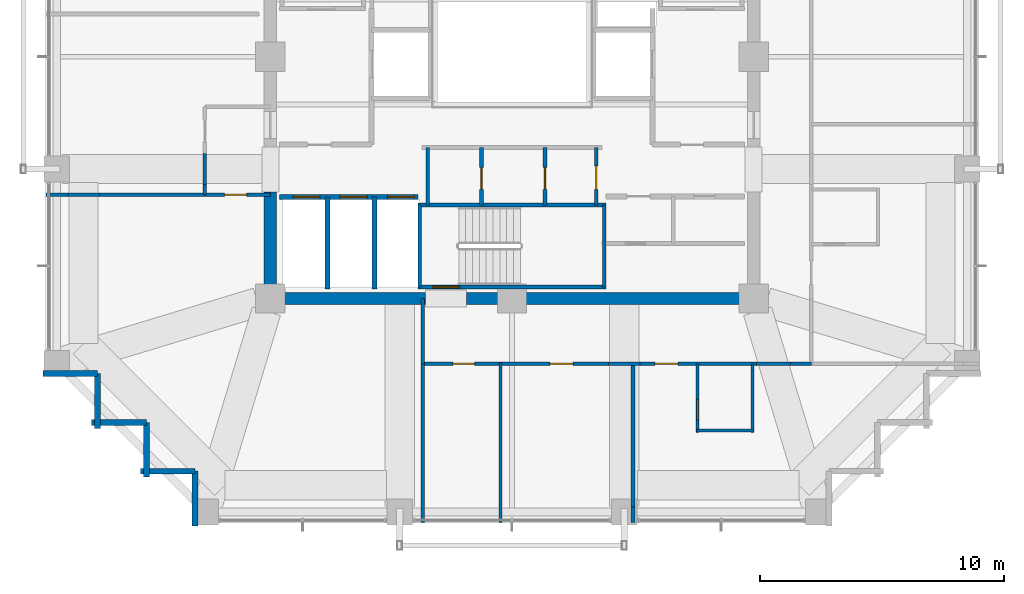
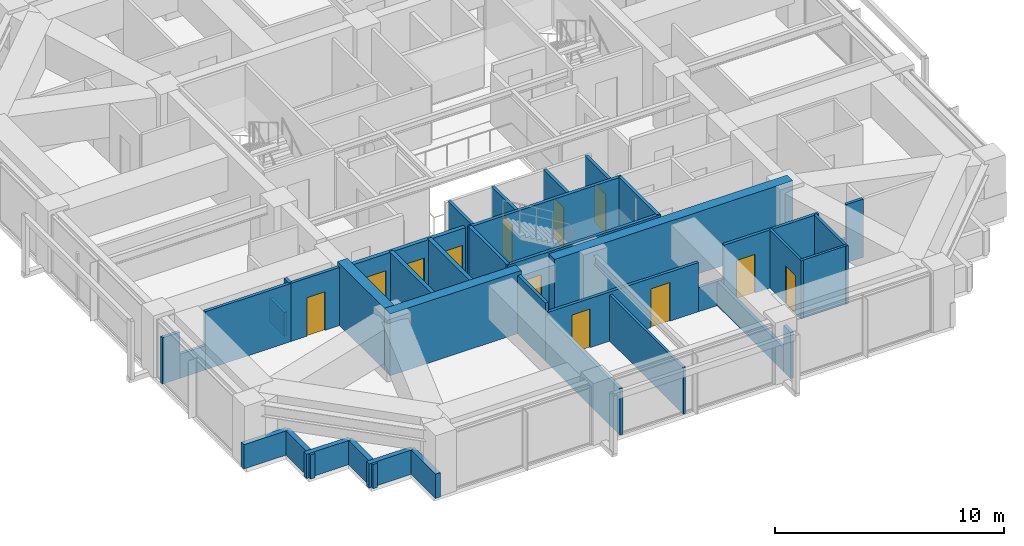
# One storey, part 24 of 28: 39 walls, 12 doors, 12 openings.
"""IFC4 building model written with IfcOpenShell, lengths in metres."""

from ifc_helpers import new_model, si_unit, direction, frame, frame_2d, origin, place, context, subcontext, project, spatial, rectangle, extrude, material, layer, layer_set, type_object, element, fill, save


model = new_model("IFC4")

# Units and contexts
model_context = context("Model", 3, precision=1e-05, world=origin(), true_north=direction((0.0, 1.0)))
body_context = subcontext(model_context, "Body", "Model", "MODEL_VIEW")
ifc_project = project(units=[si_unit("LENGTHUNIT", "METRE"), si_unit("AREAUNIT", "SQUARE_METRE"), si_unit("VOLUMEUNIT", "CUBIC_METRE"), si_unit("PLANEANGLEUNIT", "RADIAN"), si_unit("MASSUNIT", "GRAM", prefix="KILO")], contexts=[model_context])

# Site, building, storey
site_placement = place(None, origin())
site = spatial("IfcSite", under=ifc_project, at=site_placement, CompositionType="ELEMENT")
building_placement = place(site_placement, origin())
building = spatial("IfcBuilding", under=site, at=building_placement, Name="Kolvaren Belvedere", CompositionType="ELEMENT")
storey_placement = place(building_placement, frame((0.0, 0.0, 125.0)))
storey = spatial("IfcBuildingStorey", under=building, at=storey_placement, Name="L36", CompositionType="ELEMENT", Elevation=125.0)

# Walls
ifc_material_1 = material(Name="Concrete C50/60", Category="concrete")
ifc_layer_1 = layer(ifc_material_1, 0.5)
ifc_layer_set_1 = layer_set([ifc_layer_1], Name="Concrete C50/60")
wall_type_1 = type_object("IfcWallType", Name="CW-CORE-500", PredefinedType="SHEAR", material=ifc_layer_set_1)
wall_1_placement = place(storey_placement, frame((10.14990234375, -9.89990234375, 0.0), z_axis=(0.0, 0.0, 1.0), x_axis=(-1.0, 0.0, 0.0)))
element("IfcWall", 1, at=wall_1_placement, inside=storey, type_object=wall_type_1, Name="L36 South Core Shear Wall 1", PredefinedType="SHEAR", context=body_context, shape_type="SweptSolid", body=[
    extrude(rectangle(XDim=12.010009765625, YDim=0.5, at=frame_2d((6.0048828125, 0.0))), origin(), (0.0, 0.0, 1.0), 3.300048828125),
])
wall_2_placement = place(storey_placement, frame((-3.5400390625, -9.89990234375, 0.0), z_axis=(0.0, 0.0, 1.0), x_axis=(-1.0, 0.0, 0.0)))
element("IfcWall", 2, at=wall_2_placement, inside=storey, type_object=wall_type_1, Name="L36 South Core Shear Wall 2", PredefinedType="SHEAR", context=body_context, shape_type="SweptSolid", body=[
    extrude(rectangle(XDim=6.60986328125, YDim=0.5, at=frame_2d((3.304931640625, 0.0))), origin(), (0.0, 0.0, 1.0), 3.300048828125),
])
wall_3_placement = place(storey_placement, frame((-9.89990234375, -9.64990234375, 0.0), z_axis=(0.0, 0.0, 1.0), x_axis=(0.0, 1.0, 0.0)))
element("IfcWall", 3, at=wall_3_placement, inside=storey, type_object=wall_type_1, Name="L36 West Core Shear Wall 1", PredefinedType="SHEAR", context=body_context, shape_type="SweptSolid", body=[
    extrude(rectangle(XDim=4.099853515625, YDim=0.5, at=frame_2d((2.0498046875, 0.0))), origin(), (0.0, 0.0, 1.0), 3.300048828125),
])

# Wall, opening, door
ifc_material_2 = material(Name="Concrete C50/60", Category="concrete")
ifc_layer_2 = layer(ifc_material_2, 0.159912109375)
ifc_layer_set_2 = layer_set([ifc_layer_2], Name="Concrete C50/60")
wall_type_2 = type_object("IfcWallType", Name="CW-STAIR-160", PredefinedType="SHEAR", material=ifc_layer_set_2)
wall_4_placement = place(storey_placement, frame((3.860107421875, -9.429931640625, 0.0), z_axis=(0.0, 0.0, 1.0), x_axis=(-1.0, 0.0, 0.0)))
wall_4 = element("IfcWall", 4, at=wall_4_placement, inside=storey, type_object=wall_type_2, Name="L36 Stair ST-3 South Shear Wall", PredefinedType="SHEAR", context=body_context, shape_type="SweptSolid", body=[
    extrude(rectangle(XDim=7.72021484375, YDim=0.159912109375, at=frame_2d((3.860107421875, 0.0))), origin(), (0.0, 0.0, 1.0), 3.300048828125),
])
opening_1_placement = place(wall_4_placement, frame((6.010009765625, 0.0, 0.0)))
opening_1 = element("IfcOpeningElement", 5, at=opening_1_placement, cuts=wall_4, Name="Opening D-FD90", PredefinedType="OPENING", context=body_context, shape_type="SweptSolid", body=[
    extrude(rectangle(XDim=1.10009765625, YDim=2.199951171875, at=frame_2d((0.550048828125, 1.10009765625))), frame((0.0, 0.08984375, 0.0), z_axis=(0.0, -1.0, 0.0), x_axis=(1.0, 0.0, 0.0)), (0.0, 0.0, 1.0), 0.179931640625),
])
ifc_material_3 = material(Name="Painted hollow stainless steel", Category="steel")
door_type_1 = type_object("IfcDoorType", Name="DR-FD90-1100", OperationType="NOTDEFINED", PredefinedType="DOOR", material=ifc_material_3)
door_1_placement = place(opening_1_placement, origin())
door_1 = element("IfcDoor", 6, at=door_1_placement, inside=storey, type_object=door_type_1, Name="L36 Stair ST-3 Exit Door", OperationType="SINGLE_SWING_RIGHT", OverallHeight=2.199951171875, OverallWidth=1.10009765625, PredefinedType="DOOR", context=body_context, shape_type="SweptSolid", body=[
    extrude(rectangle(XDim=1.10009765625, YDim=2.199951171875, at=frame_2d((0.550048828125, 1.10009765625))), frame((0.0, 0.02490234375, 0.0), z_axis=(0.0, -1.0, 0.0), x_axis=(1.0, 0.0, 0.0)), (0.0, 0.0, 1.0), 0.050048828125),
])
fill(opening_1, door_1)

# Walls
wall_5_placement = place(storey_placement, frame((-3.860107421875, -6.080078125, 0.0), z_axis=(0.0, 0.0, 1.0), x_axis=(1.0, 0.0, 0.0)))
element("IfcWall", 7, at=wall_5_placement, inside=storey, type_object=wall_type_2, Name="L36 Stair ST-3 North Shear Wall", PredefinedType="SHEAR", context=body_context, shape_type="SweptSolid", body=[
    extrude(rectangle(XDim=7.72021484375, YDim=0.159912109375, at=frame_2d((3.860107421875, 0.0))), origin(), (0.0, 0.0, 1.0), 3.300048828125),
])
for number, where, z_axis, x_axis, name in (
    (8, (-3.780029296875, -9.429931640625, 0.0), (0.0, 0.0, 1.0), (0.0, 1.0, 0.0), "L36 Stair ST-3 West Shear Wall"),
    (9, (3.780029296875, -9.429931640625, 0.0), (0.0, 0.0, 1.0), (0.0, 1.0, 0.0), "L36 Stair ST-3 East Shear Wall"),
):
    element("IfcWall", number, at=place(storey_placement, frame(where, z_axis=z_axis, x_axis=x_axis)), inside=storey, type_object=wall_type_2, Name=name, PredefinedType="SHEAR", context=body_context, shape_type="SweptSolid", body=[
        extrude(rectangle(XDim=3.349853515625, YDim=0.159912109375, at=frame_2d((1.6748046875, 0.0))), origin(), (0.0, 0.0, 1.0), 3.300048828125),
    ])

# Wall, openings, doors
ifc_material_4 = material(Name="Gypsum fire-rated partition assembly", Category="gypsum")
ifc_layer_3 = layer(ifc_material_4, 0.14990234375)
ifc_layer_set_3 = layer_set([ifc_layer_3], Name="Gypsum fire-rated partition assembly")
wall_type_3 = type_object("IfcWallType", Name="WL-CORR-150", PredefinedType="PARTITIONING", material=ifc_layer_set_3)
wall_6_placement = place(storey_placement, frame((-3.64990234375, -12.580078125, 0.0), z_axis=(0.0, 0.0, 1.0), x_axis=(1.0, 0.0, 0.0)))
wall_6 = element("IfcWall", 10, at=wall_6_placement, inside=storey, type_object=wall_type_3, Name="L36 South-East Corridor Wall", PredefinedType="PARTITIONING", context=body_context, shape_type="SweptSolid", body=[
    extrude(rectangle(XDim=7.60791015625, YDim=0.14990234375, at=frame_2d((3.803955078125, 0.0))), origin(), (0.0, 0.0, 1.0), 2.625),
])
opening_2_placement = place(wall_6_placement, frame((1.223876953125, 0.0, 0.0)))
opening_2 = element("IfcOpeningElement", 11, at=opening_2_placement, cuts=wall_6, Name="Opening D-INT90", PredefinedType="OPENING", context=body_context, shape_type="SweptSolid", body=[
    extrude(rectangle(XDim=0.89990234375, YDim=2.06005859375, at=frame_2d((0.449951171875, 1.030029296875))), frame((0.0, 0.0849609375, 0.0), z_axis=(0.0, -1.0, 0.0), x_axis=(1.0, 0.0, 0.0)), (0.0, 0.0, 1.0), 0.169921875),
])
opening_3_placement = place(wall_6_placement, frame((5.205078125, 0.0, 0.0)))
opening_3 = element("IfcOpeningElement", 12, at=opening_3_placement, cuts=wall_6, Name="Opening D-INT95", PredefinedType="OPENING", context=body_context, shape_type="SweptSolid", body=[
    extrude(rectangle(XDim=0.949951171875, YDim=2.06005859375, at=frame_2d((0.47509765625, 1.030029296875))), frame((0.0, 0.0849609375, 0.0), z_axis=(0.0, -1.0, 0.0), x_axis=(1.0, 0.0, 0.0)), (0.0, 0.0, 1.0), 0.169921875),
])
ifc_material_5 = material(Name="Stained Pacific white oak", Category="timber")
door_type_2 = type_object("IfcDoorType", Name="DR-INT-900", OperationType="NOTDEFINED", PredefinedType="DOOR", material=ifc_material_5)
door_2_placement = place(opening_2_placement, origin())
door_2 = element("IfcDoor", 13, at=door_2_placement, inside=storey, type_object=door_type_2, Name="L36 Housekeeping Door", OperationType="SINGLE_SWING_LEFT", OverallHeight=2.06005859375, OverallWidth=0.89990234375, PredefinedType="DOOR", context=body_context, shape_type="SweptSolid", body=[
    extrude(rectangle(XDim=0.89990234375, YDim=2.06005859375, at=frame_2d((0.449951171875, 1.030029296875))), frame((0.0, 0.02490234375, 0.0), z_axis=(0.0, -1.0, 0.0), x_axis=(1.0, 0.0, 0.0)), (0.0, 0.0, 1.0), 0.050048828125),
])
fill(opening_2, door_2)
ifc_material_6 = material(Name="Stained Pacific white oak", Category="timber")
door_type_3 = type_object("IfcDoorType", Name="DR-INT-950", OperationType="NOTDEFINED", PredefinedType="DOOR", material=ifc_material_6)
door_3_placement = place(opening_3_placement, origin())
door_3 = element("IfcDoor", 14, at=door_3_placement, inside=storey, type_object=door_type_3, Name="L36 Accessible Washroom Door", OperationType="SINGLE_SWING_RIGHT", OverallHeight=2.06005859375, OverallWidth=0.949951171875, PredefinedType="DOOR", context=body_context, shape_type="SweptSolid", body=[
    extrude(rectangle(XDim=0.949951171875, YDim=2.06005859375, at=frame_2d((0.47509765625, 1.030029296875))), frame((0.0, 0.02490234375, 0.0), z_axis=(0.0, -1.0, 0.0), x_axis=(1.0, 0.0, 0.0)), (0.0, 0.0, 1.0), 0.050048828125),
])
fill(opening_3, door_3)

# Wall
wall_7_placement = place(storey_placement, frame((3.9580078125, -12.580078125, 0.0), z_axis=(0.0, 0.0, 1.0), x_axis=(1.0, 0.0, 0.0)))
element("IfcWall", 15, at=wall_7_placement, inside=storey, type_object=wall_type_3, Name="L36 South-East Corridor Wall", PredefinedType="PARTITIONING", context=body_context, shape_type="SweptSolid", body=[
    extrude(rectangle(XDim=1.283935546875, YDim=0.14990234375, at=frame_2d((0.64208984375, 0.0))), origin(), (0.0, 0.0, 1.0), 1.284912109375),
])

# Wall, opening, door
wall_8_placement = place(storey_placement, frame((5.241943359375, -12.580078125, 0.0), z_axis=(0.0, 0.0, 1.0), x_axis=(1.0, 0.0, 0.0)))
wall_8 = element("IfcWall", 16, at=wall_8_placement, inside=storey, type_object=wall_type_3, Name="L36 South-East Corridor Wall", PredefinedType="PARTITIONING", context=body_context, shape_type="SweptSolid", body=[
    extrude(rectangle(XDim=4.77392578125, YDim=0.14990234375, at=frame_2d((2.386962890625, 0.0))), origin(), (0.0, 0.0, 1.0), 3.10009765625),
])
opening_4_placement = place(wall_8_placement, frame((0.612060546875, 0.0, 0.0)))
opening_4 = element("IfcOpeningElement", 17, at=opening_4_placement, cuts=wall_8, Name="Opening D-FD60", PredefinedType="OPENING", context=body_context, shape_type="SweptSolid", body=[
    extrude(rectangle(XDim=0.949951171875, YDim=2.06005859375, at=frame_2d((0.47509765625, 1.030029296875))), frame((0.0, 0.0849609375, 0.0), z_axis=(0.0, -1.0, 0.0), x_axis=(1.0, 0.0, 0.0)), (0.0, 0.0, 1.0), 0.169921875),
])
ifc_material_7 = material(Name="Acoustic white-oak fire door leaf", Category="timber")
door_type_4 = type_object("IfcDoorType", Name="DR-FD60-950", OperationType="NOTDEFINED", PredefinedType="DOOR", material=ifc_material_7)
door_4_placement = place(opening_4_placement, origin())
door_4 = element("IfcDoor", 18, at=door_4_placement, inside=storey, type_object=door_type_4, Name="L36 King Guest Room 3610 Entry Door", OperationType="SINGLE_SWING_RIGHT", OverallHeight=2.06005859375, OverallWidth=0.949951171875, PredefinedType="DOOR", context=body_context, shape_type="SweptSolid", body=[
    extrude(rectangle(XDim=0.949951171875, YDim=2.06005859375, at=frame_2d((0.47509765625, 1.030029296875))), frame((0.0, 0.02490234375, 0.0), z_axis=(0.0, -1.0, 0.0), x_axis=(1.0, 0.0, 0.0)), (0.0, 0.0, 1.0), 0.050048828125),
])
fill(opening_4, door_4)

# Walls
wall_9_placement = place(storey_placement, frame((10.015869140625, -12.580078125, 0.0), z_axis=(0.0, 0.0, 1.0), x_axis=(1.0, 0.0, 0.0)))
element("IfcWall", 19, at=wall_9_placement, inside=storey, type_object=wall_type_3, Name="L36 South-East Corridor Wall", PredefinedType="PARTITIONING", context=body_context, shape_type="SweptSolid", body=[
    extrude(rectangle(XDim=1.3916015625, YDim=0.14990234375, at=frame_2d((0.69580078125, 0.0))), origin(), (0.0, 0.0, 1.0), 1.284912109375),
])
wall_10_placement = place(storey_placement, frame((11.407470703125, -12.580078125, 0.0), z_axis=(0.0, 0.0, 1.0), x_axis=(1.0, 0.0, 0.0)))
element("IfcWall", 20, at=wall_10_placement, inside=storey, type_object=wall_type_3, Name="L36 South-East Corridor Wall", PredefinedType="PARTITIONING", context=body_context, shape_type="SweptSolid", body=[
    extrude(rectangle(XDim=0.8525390625, YDim=0.14990234375, at=frame_2d((0.42626953125, 0.0))), origin(), (0.0, 0.0, 1.0), 3.10009765625),
])
wall_11_placement = place(storey_placement, frame((-3.64990234375, -12.580078125, 0.0), z_axis=(0.0, 0.0, 1.0), x_axis=(0.0, 1.0, 0.0)))
element("IfcWall", 21, at=wall_11_placement, inside=storey, type_object=wall_type_3, Name="L36 South Spur West Closure Wall", PredefinedType="PARTITIONING", context=body_context, shape_type="SweptSolid", body=[
    extrude(rectangle(XDim=2.68017578125, YDim=0.14990234375, at=frame_2d((1.340087890625, 0.0))), origin(), (0.0, 0.0, 1.0), 3.10009765625),
])
wall_12_placement = place(storey_placement, frame((-12.580078125, -5.64990234375, 0.0), z_axis=(0.0, 0.0, 1.0), x_axis=(0.0, 1.0, 0.0)))
element("IfcWall", 22, at=wall_12_placement, inside=storey, type_object=wall_type_3, Name="L36 West FSAE Pocket Wall", PredefinedType="PARTITIONING", context=body_context, shape_type="SweptSolid", body=[
    extrude(rectangle(XDim=0.407958984375, YDim=0.14990234375, at=frame_2d((0.2041015625, 0.0))), origin(), (0.0, 0.0, 1.0), 3.10009765625),
])
wall_13_placement = place(storey_placement, frame((-12.580078125, -5.241943359375, 0.0), z_axis=(0.0, 0.0, 1.0), x_axis=(0.0, 1.0, 0.0)))
element("IfcWall", 23, at=wall_13_placement, inside=storey, type_object=wall_type_3, Name="L36 West FSAE Pocket Wall", PredefinedType="PARTITIONING", context=body_context, shape_type="SweptSolid", body=[
    extrude(rectangle(XDim=1.283935546875, YDim=0.14990234375, at=frame_2d((0.64208984375, 0.0))), origin(), (0.0, 0.0, 1.0), 1.284912109375),
])

# Wall, opening, door
wall_14_placement = place(storey_placement, frame((-12.580078125, -5.64990234375, 0.0), z_axis=(0.0, 0.0, 1.0), x_axis=(1.0, 0.0, 0.0)))
wall_14 = element("IfcWall", 24, at=wall_14_placement, inside=storey, type_object=wall_type_3, Name="L36 West Pocket South Closure Wall", PredefinedType="PARTITIONING", context=body_context, shape_type="SweptSolid", body=[
    extrude(rectangle(XDim=2.68017578125, YDim=0.14990234375, at=frame_2d((1.340087890625, 0.0))), origin(), (0.0, 0.0, 1.0), 3.10009765625),
])
opening_5_placement = place(wall_14_placement, frame((0.80615234375, 0.0, 0.0)))
opening_5 = element("IfcOpeningElement", 25, at=opening_5_placement, cuts=wall_14, Name="Opening D-INT90", PredefinedType="OPENING", context=body_context, shape_type="SweptSolid", body=[
    extrude(rectangle(XDim=0.89990234375, YDim=2.06005859375, at=frame_2d((0.449951171875, 1.030029296875))), frame((0.0, 0.0849609375, 0.0), z_axis=(0.0, -1.0, 0.0), x_axis=(1.0, 0.0, 0.0)), (0.0, 0.0, 1.0), 0.169921875),
])
door_5_placement = place(opening_5_placement, origin())
door_5 = element("IfcDoor", 26, at=door_5_placement, inside=storey, type_object=door_type_2, Name="L36 Lounge 3609 Door", OperationType="SINGLE_SWING_RIGHT", OverallHeight=2.06005859375, OverallWidth=0.89990234375, PredefinedType="DOOR", context=body_context, shape_type="SweptSolid", body=[
    extrude(rectangle(XDim=0.89990234375, YDim=2.06005859375, at=frame_2d((0.449951171875, 1.030029296875))), frame((0.0, 0.02490234375, 0.0), z_axis=(0.0, -1.0, 0.0), x_axis=(1.0, 0.0, 0.0)), (0.0, 0.0, 1.0), 0.050048828125),
])
fill(opening_5, door_5)

# Walls
ifc_material_8 = material(Name="Insulated pale-metal facade wall assembly", Category="aluminium")
ifc_layer_4 = layer(ifc_material_8, 0.239990234375)
ifc_layer_set_4 = layer_set([ifc_layer_4], Name="Insulated pale-metal facade wall assembly")
wall_type_4 = type_object("IfcWallType", Name="WL-EXT-240", PredefinedType="STANDARD", material=ifc_layer_set_4)
for number, where, z_axis, x_axis, name in (
    (27, (-16.97998046875, -12.97998046875, 0.0), (0.0, 0.0, 1.0), (-1.0, 0.0, 0.0), "L36 Serrated Corner Facade Wall 23"),
    (28, (-16.97998046875, -15.219970703125, 0.0), (0.0, 0.0, 1.0), (0.0, 1.0, 0.0), "L36 Serrated Corner Facade Wall 24"),
    (29, (-14.97998046875, -14.97998046875, 0.0), (0.0, 0.0, 1.0), (-1.0, 0.0, 0.0), "L36 Serrated Corner Facade Wall 25"),
    (30, (-14.97998046875, -17.219970703125, 0.0), (0.0, 0.0, 1.0), (0.0, 1.0, 0.0), "L36 Serrated Corner Facade Wall 26"),
    (31, (-12.97998046875, -16.97998046875, 0.0), (0.0, 0.0, 1.0), (-1.0, 0.0, 0.0), "L36 Serrated Corner Facade Wall 27"),
    (32, (-12.97998046875, -19.219970703125, 0.0), (0.0, 0.0, 1.0), (0.0, 1.0, 0.0), "L36 Serrated Corner Facade Wall 28"),
):
    element("IfcWall", number, at=place(storey_placement, frame(where, z_axis=z_axis, x_axis=x_axis)), inside=storey, type_object=wall_type_4, Name=name, PredefinedType="STANDARD", context=body_context, shape_type="SweptSolid", body=[
        extrude(rectangle(XDim=2.239990234375, YDim=0.239990234375, at=frame_2d((1.1201171875, 0.0))), origin(), (0.0, 0.0, 1.0), 1.294921875),
    ])

# Wall, opening, door
ifc_material_9 = material(Name="Gypsum acoustic partition assembly", Category="gypsum")
ifc_layer_5 = layer(ifc_material_9, 0.14990234375)
ifc_layer_set_5 = layer_set([ifc_layer_5], Name="Gypsum acoustic partition assembly")
wall_type_5 = type_object("IfcWallType", Name="WL-PART-150", PredefinedType="PARTITIONING", material=ifc_layer_set_5)
wall_15_placement = place(storey_placement, frame((3.449951171875, -6.080078125, 0.0), z_axis=(0.0, 0.0, 1.0), x_axis=(0.0, 1.0, 0.0)))
wall_15 = element("IfcWall", 33, at=wall_15_placement, inside=storey, type_object=wall_type_5, Name="L36 South Core Service East Wall", PredefinedType="PARTITIONING", context=body_context, shape_type="SweptSolid", body=[
    extrude(rectangle(XDim=2.360107421875, YDim=0.14990234375, at=frame_2d((1.18017578125, 0.0))), origin(), (0.0, 0.0, 1.0), 3.10009765625),
])
opening_6_placement = place(wall_15_placement, frame((0.64990234375, 0.0, 0.0)))
opening_6 = element("IfcOpeningElement", 34, at=opening_6_placement, cuts=wall_15, Name="Opening D-FD60", PredefinedType="OPENING", context=body_context, shape_type="SweptSolid", body=[
    extrude(rectangle(XDim=0.949951171875, YDim=2.06005859375, at=frame_2d((0.47509765625, 1.030029296875))), frame((0.0, 0.0849609375, 0.0), z_axis=(0.0, -1.0, 0.0), x_axis=(1.0, 0.0, 0.0)), (0.0, 0.0, 1.0), 0.169921875),
])
door_6_placement = place(opening_6_placement, origin())
door_6 = element("IfcDoor", 35, at=door_6_placement, inside=storey, type_object=door_type_4, Name="L36 Core Service Room Door", OperationType="SINGLE_SWING_LEFT", OverallHeight=2.06005859375, OverallWidth=0.949951171875, PredefinedType="DOOR", context=body_context, shape_type="SweptSolid", body=[
    extrude(rectangle(XDim=0.949951171875, YDim=2.06005859375, at=frame_2d((0.47509765625, 1.030029296875))), frame((0.0, 0.02490234375, 0.0), z_axis=(0.0, -1.0, 0.0), x_axis=(1.0, 0.0, 0.0)), (0.0, 0.0, 1.0), 0.050048828125),
])
fill(opening_6, door_6)

# Wall
wall_16_placement = place(storey_placement, frame((-3.449951171875, -6.080078125, 0.0), z_axis=(0.0, 0.0, 1.0), x_axis=(0.0, 1.0, 0.0)))
element("IfcWall", 36, at=wall_16_placement, inside=storey, type_object=wall_type_5, Name="L36 South Core Service West Wall", PredefinedType="PARTITIONING", context=body_context, shape_type="SweptSolid", body=[
    extrude(rectangle(XDim=2.360107421875, YDim=0.14990234375, at=frame_2d((1.18017578125, 0.0))), origin(), (0.0, 0.0, 1.0), 3.10009765625),
])

# Wall, opening, door
wall_17_placement = place(storey_placement, frame((1.35009765625, -6.080078125, 0.0), z_axis=(0.0, 0.0, 1.0), x_axis=(0.0, 1.0, 0.0)))
wall_17 = element("IfcWall", 37, at=wall_17_placement, inside=storey, type_object=wall_type_5, Name="L36 Core Service Divider 1", PredefinedType="PARTITIONING", context=body_context, shape_type="SweptSolid", body=[
    extrude(rectangle(XDim=2.360107421875, YDim=0.14990234375, at=frame_2d((1.18017578125, 0.0))), origin(), (0.0, 0.0, 1.0), 3.10009765625),
])
opening_7_placement = place(wall_17_placement, frame((0.64990234375, 0.0, 0.0)))
opening_7 = element("IfcOpeningElement", 38, at=opening_7_placement, cuts=wall_17, Name="Opening D-INT90", PredefinedType="OPENING", context=body_context, shape_type="SweptSolid", body=[
    extrude(rectangle(XDim=0.89990234375, YDim=2.06005859375, at=frame_2d((0.449951171875, 1.030029296875))), frame((0.0, 0.0849609375, 0.0), z_axis=(0.0, -1.0, 0.0), x_axis=(1.0, 0.0, 0.0)), (0.0, 0.0, 1.0), 0.169921875),
])
door_7_placement = place(opening_7_placement, origin())
door_7 = element("IfcDoor", 39, at=door_7_placement, inside=storey, type_object=door_type_2, Name="L36 Data Closet Door", OperationType="SINGLE_SWING_RIGHT", OverallHeight=2.06005859375, OverallWidth=0.89990234375, PredefinedType="DOOR", context=body_context, shape_type="SweptSolid", body=[
    extrude(rectangle(XDim=0.89990234375, YDim=2.06005859375, at=frame_2d((0.449951171875, 1.030029296875))), frame((0.0, 0.02490234375, 0.0), z_axis=(0.0, -1.0, 0.0), x_axis=(1.0, 0.0, 0.0)), (0.0, 0.0, 1.0), 0.050048828125),
])
fill(opening_7, door_7)

wall_18_placement = place(storey_placement, frame((-1.25, -6.080078125, 0.0), z_axis=(0.0, 0.0, 1.0), x_axis=(0.0, 1.0, 0.0)))
wall_18 = element("IfcWall", 40, at=wall_18_placement, inside=storey, type_object=wall_type_5, Name="L36 Core Service Divider 2", PredefinedType="PARTITIONING", context=body_context, shape_type="SweptSolid", body=[
    extrude(rectangle(XDim=2.360107421875, YDim=0.14990234375, at=frame_2d((1.18017578125, 0.0))), origin(), (0.0, 0.0, 1.0), 3.10009765625),
])
opening_8_placement = place(wall_18_placement, frame((0.64990234375, 0.0, 0.0)))
opening_8 = element("IfcOpeningElement", 41, at=opening_8_placement, cuts=wall_18, Name="Opening D-INT90", PredefinedType="OPENING", context=body_context, shape_type="SweptSolid", body=[
    extrude(rectangle(XDim=0.89990234375, YDim=2.06005859375, at=frame_2d((0.449951171875, 1.030029296875))), frame((0.0, 0.0849609375, 0.0), z_axis=(0.0, -1.0, 0.0), x_axis=(1.0, 0.0, 0.0)), (0.0, 0.0, 1.0), 0.169921875),
])
door_8_placement = place(opening_8_placement, origin())
door_8 = element("IfcDoor", 42, at=door_8_placement, inside=storey, type_object=door_type_2, Name="L36 Janitor Room Door", OperationType="SINGLE_SWING_LEFT", OverallHeight=2.06005859375, OverallWidth=0.89990234375, PredefinedType="DOOR", context=body_context, shape_type="SweptSolid", body=[
    extrude(rectangle(XDim=0.89990234375, YDim=2.06005859375, at=frame_2d((0.449951171875, 1.030029296875))), frame((0.0, 0.02490234375, 0.0), z_axis=(0.0, -1.0, 0.0), x_axis=(1.0, 0.0, 0.0)), (0.0, 0.0, 1.0), 0.050048828125),
])
fill(opening_8, door_8)

# Walls
wall_19_placement = place(storey_placement, frame((-19.080078125, -5.64990234375, 0.0), z_axis=(0.0, 0.0, 1.0), x_axis=(1.0, 0.0, 0.0)))
element("IfcWall", 43, at=wall_19_placement, inside=storey, type_object=wall_type_5, Name="L36 West Mid Suite South Wall", PredefinedType="PARTITIONING", context=body_context, shape_type="SweptSolid", body=[
    extrude(rectangle(XDim=0.88818359375, YDim=0.14990234375, at=frame_2d((0.444091796875, 0.0))), origin(), (0.0, 0.0, 1.0), 2.468994140625),
])
wall_20_placement = place(storey_placement, frame((-18.19189453125, -5.64990234375, 0.0), z_axis=(0.0, 0.0, 1.0), x_axis=(1.0, 0.0, 0.0)))
element("IfcWall", 44, at=wall_20_placement, inside=storey, type_object=wall_type_5, Name="L36 West Mid Suite South Wall", PredefinedType="PARTITIONING", context=body_context, shape_type="SweptSolid", body=[
    extrude(rectangle(XDim=1.283935546875, YDim=0.14990234375, at=frame_2d((0.64208984375, 0.0))), origin(), (0.0, 0.0, 1.0), 1.284912109375),
])
wall_21_placement = place(storey_placement, frame((-16.907958984375, -5.64990234375, 0.0), z_axis=(0.0, 0.0, 1.0), x_axis=(1.0, 0.0, 0.0)))
element("IfcWall", 45, at=wall_21_placement, inside=storey, type_object=wall_type_5, Name="L36 West Mid Suite South Wall", PredefinedType="PARTITIONING", context=body_context, shape_type="SweptSolid", body=[
    extrude(rectangle(XDim=4.327880859375, YDim=0.14990234375, at=frame_2d((2.1640625, 0.0))), origin(), (0.0, 0.0, 1.0), 3.10009765625),
])
wall_22_placement = place(storey_placement, frame((-3.64990234375, -19.080078125, 0.0), z_axis=(0.0, 0.0, 1.0), x_axis=(0.0, 1.0, 0.0)))
element("IfcWall", 46, at=wall_22_placement, inside=storey, type_object=wall_type_5, Name="L36 South Mid-West Wall", PredefinedType="PARTITIONING", context=body_context, shape_type="SweptSolid", body=[
    extrude(rectangle(XDim=6.5, YDim=0.14990234375, at=frame_2d((3.25, 0.0))), origin(), (0.0, 0.0, 1.0), 2.468994140625),
])
wall_23_placement = place(storey_placement, frame((4.9599609375, -19.080078125, 0.0), z_axis=(0.0, 0.0, 1.0), x_axis=(0.0, 1.0, 0.0)))
element("IfcWall", 47, at=wall_23_placement, inside=storey, type_object=wall_type_5, Name="L36 South-East Suite Divider 1", PredefinedType="PARTITIONING", context=body_context, shape_type="SweptSolid", body=[
    extrude(rectangle(XDim=0.63623046875, YDim=0.14990234375, at=frame_2d((0.318115234375, 0.0))), origin(), (0.0, 0.0, 1.0), 2.468994140625),
])
wall_24_placement = place(storey_placement, frame((4.9599609375, -18.44384765625, 0.0), z_axis=(0.0, 0.0, 1.0), x_axis=(0.0, 1.0, 0.0)))
element("IfcWall", 48, at=wall_24_placement, inside=storey, type_object=wall_type_5, Name="L36 South-East Suite Divider 1", PredefinedType="PARTITIONING", context=body_context, shape_type="SweptSolid", body=[
    extrude(rectangle(XDim=5.86376953125, YDim=0.14990234375, at=frame_2d((2.931884765625, 0.0))), origin(), (0.0, 0.0, 1.0), 1.284912109375),
])

# Wall, openings, doors
ifc_material_10 = material(Name="Concrete C50/60", Category="concrete")
ifc_layer_6 = layer(ifc_material_10, 0.199951171875)
ifc_layer_set_6 = layer_set([ifc_layer_6], Name="Concrete C50/60")
wall_type_6 = type_object("IfcWallType", Name="WL-SHAFT-200", PredefinedType="SOLIDWALL", material=ifc_layer_set_6)
wall_25_placement = place(storey_placement, frame((-9.52001953125, -5.75, 0.0), z_axis=(0.0, 0.0, 1.0), x_axis=(1.0, 0.0, 0.0)))
wall_25 = element("IfcWall", 49, at=wall_25_placement, inside=storey, type_object=wall_type_6, Name="L36 Mid-Rise Lift Bank Front Wall", PredefinedType="SOLIDWALL", context=body_context, shape_type="SweptSolid", body=[
    extrude(rectangle(XDim=5.659912109375, YDim=0.199951171875, at=frame_2d((2.830078125, 0.0))), origin(), (0.0, 0.0, 1.0), 3.10009765625),
])
opening_9_placement = place(wall_25_placement, frame((0.550048828125, 0.0, 0.0)))
opening_9 = element("IfcOpeningElement", 50, at=opening_9_placement, cuts=wall_25, Name="Opening LD-11", PredefinedType="OPENING", context=body_context, shape_type="SweptSolid", body=[
    extrude(rectangle(XDim=1.10009765625, YDim=2.199951171875, at=frame_2d((0.550048828125, 1.10009765625))), frame((0.0, 0.10986328125, 0.0), z_axis=(0.0, -1.0, 0.0), x_axis=(1.0, 0.0, 0.0)), (0.0, 0.0, 1.0), 0.219970703125),
])
opening_10_placement = place(wall_25_placement, frame((2.47998046875, 0.0, 0.0)))
opening_10 = element("IfcOpeningElement", 51, at=opening_10_placement, cuts=wall_25, Name="Opening LD-11", PredefinedType="OPENING", context=body_context, shape_type="SweptSolid", body=[
    extrude(rectangle(XDim=1.10009765625, YDim=2.199951171875, at=frame_2d((0.550048828125, 1.10009765625))), frame((0.0, 0.10986328125, 0.0), z_axis=(0.0, -1.0, 0.0), x_axis=(1.0, 0.0, 0.0)), (0.0, 0.0, 1.0), 0.219970703125),
])
opening_11_placement = place(wall_25_placement, frame((4.409912109375, 0.0, 0.0)))
opening_11 = element("IfcOpeningElement", 52, at=opening_11_placement, cuts=wall_25, Name="Opening LD-11", PredefinedType="OPENING", context=body_context, shape_type="SweptSolid", body=[
    extrude(rectangle(XDim=1.10009765625, YDim=2.199951171875, at=frame_2d((0.550048828125, 1.10009765625))), frame((0.0, 0.10986328125, 0.0), z_axis=(0.0, -1.0, 0.0), x_axis=(1.0, 0.0, 0.0)), (0.0, 0.0, 1.0), 0.219970703125),
])
ifc_material_11 = material(Name="Brushed stainless steel", Category="steel")
door_type_5 = type_object("IfcDoorType", Name="DR-LIFT-1100", OperationType="DOUBLE_DOOR_SLIDING", PredefinedType="DOOR", material=ifc_material_11)
door_9_placement = place(opening_9_placement, origin())
door_9 = element("IfcDoor", 53, at=door_9_placement, inside=storey, type_object=door_type_5, Name="L36 Passenger Lift P4 Landing Door", OperationType="DOUBLE_DOOR_SLIDING", OverallHeight=2.199951171875, OverallWidth=1.10009765625, PredefinedType="DOOR", context=body_context, shape_type="SweptSolid", body=[
    extrude(rectangle(XDim=1.10009765625, YDim=2.199951171875, at=frame_2d((0.550048828125, 1.10009765625))), frame((0.0, 0.02490234375, 0.0), z_axis=(0.0, -1.0, 0.0), x_axis=(1.0, 0.0, 0.0)), (0.0, 0.0, 1.0), 0.050048828125),
])
fill(opening_9, door_9)
door_10_placement = place(opening_10_placement, origin())
door_10 = element("IfcDoor", 54, at=door_10_placement, inside=storey, type_object=door_type_5, Name="L36 Passenger Lift P5 Landing Door", OperationType="DOUBLE_DOOR_SLIDING", OverallHeight=2.199951171875, OverallWidth=1.10009765625, PredefinedType="DOOR", context=body_context, shape_type="SweptSolid", body=[
    extrude(rectangle(XDim=1.10009765625, YDim=2.199951171875, at=frame_2d((0.550048828125, 1.10009765625))), frame((0.0, 0.02490234375, 0.0), z_axis=(0.0, -1.0, 0.0), x_axis=(1.0, 0.0, 0.0)), (0.0, 0.0, 1.0), 0.050048828125),
])
fill(opening_10, door_10)
door_11_placement = place(opening_11_placement, origin())
door_11 = element("IfcDoor", 55, at=door_11_placement, inside=storey, type_object=door_type_5, Name="L36 Passenger Lift P6 Landing Door", OperationType="DOUBLE_DOOR_SLIDING", OverallHeight=2.199951171875, OverallWidth=1.10009765625, PredefinedType="DOOR", context=body_context, shape_type="SweptSolid", body=[
    extrude(rectangle(XDim=1.10009765625, YDim=2.199951171875, at=frame_2d((0.550048828125, 1.10009765625))), frame((0.0, 0.02490234375, 0.0), z_axis=(0.0, -1.0, 0.0), x_axis=(1.0, 0.0, 0.0)), (0.0, 0.0, 1.0), 0.050048828125),
])
fill(opening_11, door_11)

# Walls
for number, where, z_axis, x_axis, name in (
    (56, (-7.56005859375, -9.52001953125, 0.0), (0.0, 0.0, 1.0), (0.0, 1.0, 0.0), "L36 Mid-Rise Hoistway Divider 1"),
    (57, (-5.6298828125, -9.52001953125, 0.0), (0.0, 0.0, 1.0), (0.0, 1.0, 0.0), "L36 Mid-Rise Hoistway Divider 2"),
):
    element("IfcWall", number, at=place(storey_placement, frame(where, z_axis=z_axis, x_axis=x_axis)), inside=storey, type_object=wall_type_6, Name=name, PredefinedType="SOLIDWALL", context=body_context, shape_type="SweptSolid", body=[
        extrude(rectangle(XDim=3.77001953125, YDim=0.199951171875, at=frame_2d((1.885009765625, 0.0))), origin(), (0.0, 0.0, 1.0), 3.10009765625),
    ])
ifc_material_12 = material(Name="Moisture-resistant gypsum partition", Category="gypsum")
ifc_layer_7 = layer(ifc_material_12, 0.125)
ifc_layer_set_7 = layer_set([ifc_layer_7], Name="Moisture-resistant gypsum partition")
wall_type_7 = type_object("IfcWallType", Name="WL-WET-125", PredefinedType="PARTITIONING", material=ifc_layer_set_7)
wall_26_placement = place(storey_placement, frame((-0.468017578125, -19.080078125, 0.0), z_axis=(0.0, 0.0, 1.0), x_axis=(0.0, 1.0, 0.0)))
element("IfcWall", 58, at=wall_26_placement, inside=storey, type_object=wall_type_7, Name="L36 Housekeeping Washroom Divider", PredefinedType="PARTITIONING", context=body_context, shape_type="SweptSolid", body=[
    extrude(rectangle(XDim=6.525146484375, YDim=0.125, at=frame_2d((3.2626953125, 0.0))), origin(), (0.0, 0.0, 1.0), 2.468994140625),
])

# Wall, opening, door
wall_27_placement = place(storey_placement, frame((7.60791015625, -15.385009765625, 0.0), z_axis=(0.0, 0.0, 1.0), x_axis=(0.0, 1.0, 0.0)))
wall_27 = element("IfcWall", 59, at=wall_27_placement, inside=storey, type_object=wall_type_7, Name="L36 Bathroom Partition PW-L36-BTH-10-E", PredefinedType="PARTITIONING", context=body_context, shape_type="SweptSolid", body=[
    extrude(rectangle(XDim=2.7900390625, YDim=0.125, at=frame_2d((1.39501953125, 0.0))), origin(), (0.0, 0.0, 1.0), 3.10009765625),
])
opening_12_placement = place(wall_27_placement, frame((0.5, 0.0, 0.0)))
opening_12 = element("IfcOpeningElement", 60, at=opening_12_placement, cuts=wall_27, Name="Opening D-BTH85", PredefinedType="OPENING", context=body_context, shape_type="SweptSolid", body=[
    extrude(rectangle(XDim=0.85009765625, YDim=2.030029296875, at=frame_2d((0.425048828125, 1.01513671875))), frame((0.0, 0.072509765625, 0.0), z_axis=(0.0, -1.0, 0.0), x_axis=(1.0, 0.0, 0.0)), (0.0, 0.0, 1.0), 0.14501953125),
])
ifc_material_13 = material(Name="Moisture-sealed Pacific white oak", Category="timber")
door_type_6 = type_object("IfcDoorType", Name="DR-BATH-850", OperationType="NOTDEFINED", PredefinedType="DOOR", material=ifc_material_13)
door_12_placement = place(opening_12_placement, origin())
door_12 = element("IfcDoor", 61, at=door_12_placement, inside=storey, type_object=door_type_6, Name="L36 En-Suite Bathroom 3610 Door", OperationType="SINGLE_SWING_LEFT", OverallHeight=2.030029296875, OverallWidth=0.85009765625, PredefinedType="DOOR", context=body_context, shape_type="SweptSolid", body=[
    extrude(rectangle(XDim=0.85009765625, YDim=2.030029296875, at=frame_2d((0.425048828125, 1.01513671875))), frame((0.0, 0.02490234375, 0.0), z_axis=(0.0, -1.0, 0.0), x_axis=(1.0, 0.0, 0.0)), (0.0, 0.0, 1.0), 0.050048828125),
])
fill(opening_12, door_12)

# Walls
wall_28_placement = place(storey_placement, frame((7.548095703125, -15.304931640625, 0.0), z_axis=(0.0, 0.0, 1.0), x_axis=(1.0, 0.0, 0.0)))
element("IfcWall", 62, at=wall_28_placement, inside=storey, type_object=wall_type_7, Name="L36 Bathroom Partition PW-L36-BTH-10-H", PredefinedType="PARTITIONING", context=body_context, shape_type="SweptSolid", body=[
    extrude(rectangle(XDim=2.369873046875, YDim=0.125, at=frame_2d((1.18505859375, 0.0))), origin(), (0.0, 0.0, 1.0), 3.10009765625),
])
wall_29_placement = place(storey_placement, frame((9.85791015625, -15.385009765625, 0.0), z_axis=(0.0, 0.0, 1.0), x_axis=(0.0, 1.0, 0.0)))
element("IfcWall", 63, at=wall_29_placement, inside=storey, type_object=wall_type_7, Name="L36 Bathroom Partition PW-L36-BTH-10-W", PredefinedType="PARTITIONING", context=body_context, shape_type="SweptSolid", body=[
    extrude(rectangle(XDim=2.7900390625, YDim=0.125, at=frame_2d((1.39501953125, 0.0))), origin(), (0.0, 0.0, 1.0), 3.10009765625),
])

save(model, "model.ifc")
